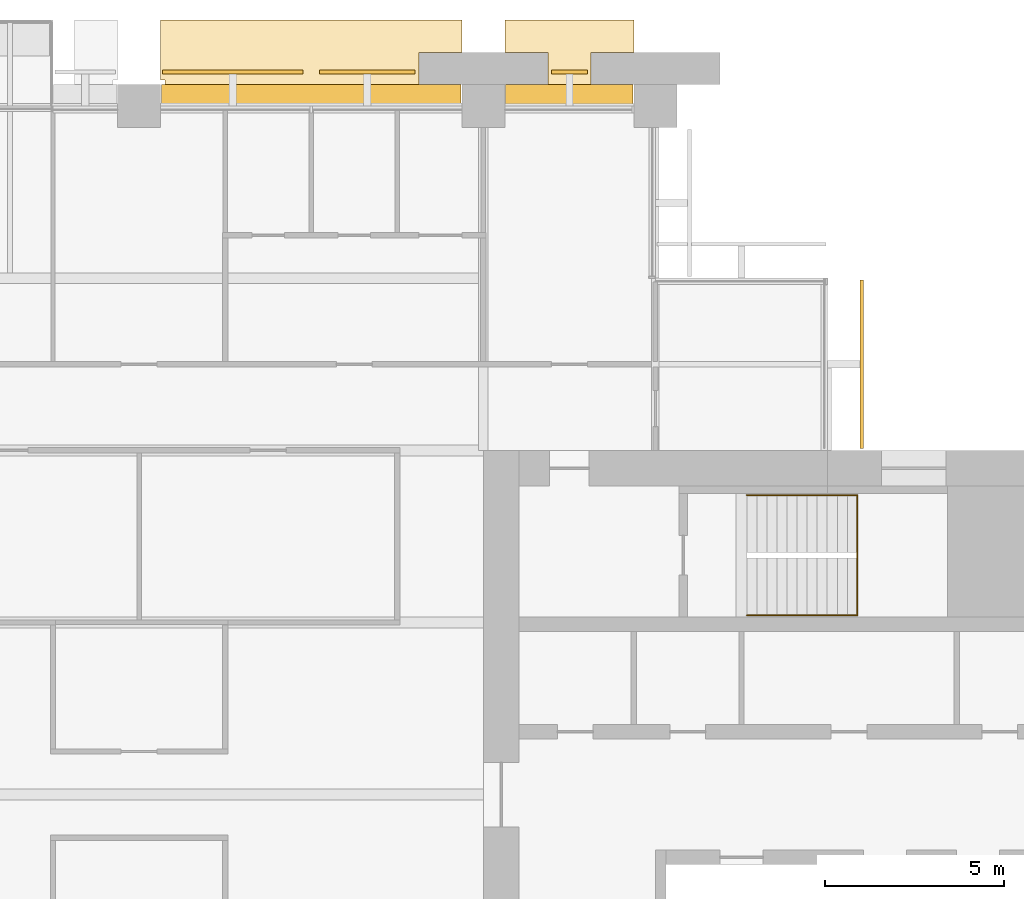
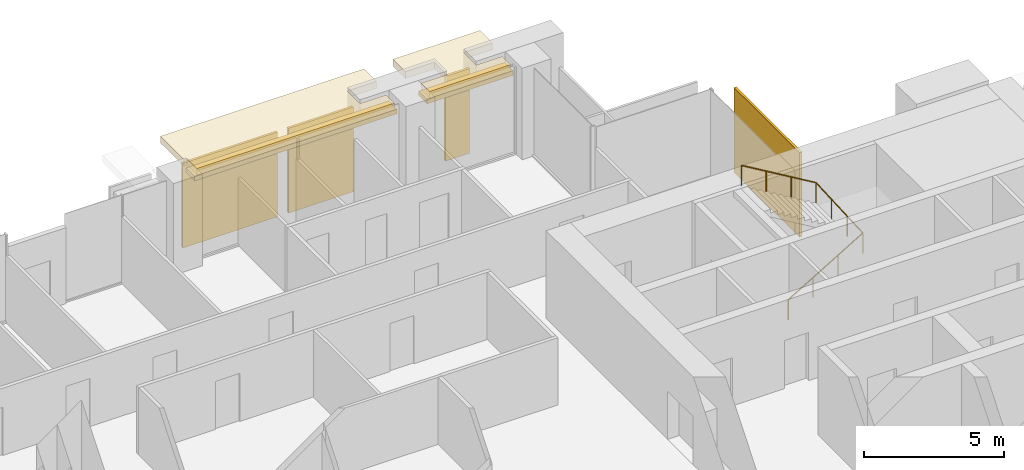
# One storey, part 15 of 15: 6 coverings, 2 shading devices, 1 railing.
"""IFC4 building model written with IfcOpenShell, lengths in metres."""

from ifc_helpers import new_model, si_unit, direction, frame, origin, origin_2d, place, context, subcontext, project, spatial, polyline, rectangle, circle, outline, extrude, material, layer, layer_set, type_object, element, save


model = new_model("IFC4")

# Units and contexts
model_context = context("Model", 3, precision=1e-05, world=origin(), true_north=direction((0.0, 1.0)))
body_context = subcontext(model_context, "Body", "Model", "MODEL_VIEW")
ifc_project = project(units=[si_unit("LENGTHUNIT", "METRE"), si_unit("AREAUNIT", "SQUARE_METRE"), si_unit("VOLUMEUNIT", "CUBIC_METRE"), si_unit("PLANEANGLEUNIT", "RADIAN"), si_unit("MASSUNIT", "GRAM", prefix="KILO")], contexts=[model_context])

# Site, building, storey
site_placement = place(None, origin())
site = spatial("IfcSite", under=ifc_project, at=site_placement, CompositionType="ELEMENT")
building_placement = place(site_placement, origin())
building = spatial("IfcBuilding", under=site, at=building_placement, Name="Baori Bourse Tower", CompositionType="ELEMENT")
storey_placement = place(building_placement, frame((0.0, 0.0, 152.10009765625)))
storey = spatial("IfcBuildingStorey", under=building, at=storey_placement, Name="L33", CompositionType="ELEMENT", Elevation=152.10009765625)

# Coverings
ifc_material_1 = material(Name="Pale anodised aluminium", Category="aluminium")
covering_type_1 = type_object("IfcCoveringType", Name="BD1 Pale metal band", PredefinedType="CLADDING", material=ifc_material_1)
covering_1_placement = place(storey_placement, frame((0.0, 0.0, 3.539794921875)))
element("IfcCovering", 1, at=covering_1_placement, inside=storey, type_object=covering_type_1, Name="Pale projecting band L33 2", PredefinedType="CLADDING", context=body_context, shape_type="SweptSolid", body=[
    extrude(outline(polyline([(39.1201171875, 48.0), (42.47998046875, 48.0), (42.47998046875, 48.60009765625), (41.39990234375, 48.60009765625), (41.39990234375, 49.5), (42.60009765625, 49.5), (42.60009765625, 50.39990234375), (39.0, 50.39990234375), (39.0, 49.5), (40.199951171875, 49.5), (40.199951171875, 48.60009765625), (39.1201171875, 48.60009765625), (39.1201171875, 48.0)])), origin(), (0.0, 0.0, 1.0), 0.300048828125),
])
covering_2_placement = place(storey_placement, frame((0.0, 0.0, 3.539794921875)))
element("IfcCovering", 2, at=covering_2_placement, inside=storey, type_object=covering_type_1, Name="Pale projecting band L33 3", PredefinedType="CLADDING", context=body_context, shape_type="SweptSolid", body=[
    extrude(outline(polyline([(29.52001953125, 48.0), (37.679931640625, 48.0), (37.679931640625, 48.60009765625), (36.60009765625, 48.60009765625), (36.60009765625, 49.5), (37.800048828125, 49.5), (37.800048828125, 50.39990234375), (29.39990234375, 50.39990234375), (29.39990234375, 48.719970703125), (29.52001953125, 48.719970703125), (29.52001953125, 48.0)])), origin(), (0.0, 0.0, 1.0), 0.300048828125),
])

# Shading devices
ifc_material_2 = material(Name="Concrete f'c 40 MPa", Category="concrete")
ifc_layer_1 = layer(ifc_material_2, 0.199951171875)
ifc_layer_set_1 = layer_set([ifc_layer_1], Name="BS1 Brise-soleil ledge")
shading_device_type = type_object("IfcShadingDeviceType", Name="BS1 Brise-soleil ledge", PredefinedType="USERDEFINED", material=ifc_layer_set_1)
shading_device_1_placement = place(storey_placement, frame((40.800048828125, 48.300048828125, 3.33984375), z_axis=(0.0, 0.0, 1.0), x_axis=(-1.0, 0.0, 0.0)))
element("IfcShadingDevice", 3, at=shading_device_1_placement, inside=storey, type_object=shading_device_type, Name="Brise-soleil ledge L33 1", ObjectType="BRISE SOLEIL", PredefinedType="USERDEFINED", context=body_context, shape_type="SweptSolid", body=[
    extrude(rectangle(XDim=3.56005859375, YDim=0.60009765625, at=origin_2d()), origin(), (0.0, 0.0, 1.0), 0.199951171875),
])
shading_device_2_placement = place(storey_placement, frame((33.60009765625, 48.300048828125, 3.33984375), z_axis=(0.0, 0.0, 1.0), x_axis=(-1.0, 0.0, 0.0)))
element("IfcShadingDevice", 4, at=shading_device_2_placement, inside=storey, type_object=shading_device_type, Name="Brise-soleil ledge L33 2", ObjectType="BRISE SOLEIL", PredefinedType="USERDEFINED", context=body_context, shape_type="SweptSolid", body=[
    extrude(rectangle(XDim=8.360107421875, YDim=0.60009765625, at=origin_2d()), origin(), (0.0, 0.0, 1.0), 0.199951171875),
])

# Railing
ifc_material_3 = material(Name="Powder-coated steel balustrade", Category="steel")
railing_type = type_object("IfcRailingType", Name="Core stair handrail", PredefinedType="HANDRAIL", material=ifc_material_3)
railing_placement = place(storey_placement, frame((45.75, 33.800048828125, 0.16650390625)))
element("IfcRailing", 5, at=railing_placement, inside=storey, type_object=railing_type, Name="L33 ST4 stair handrail 1", PredefinedType="HANDRAIL", context=body_context, shape_type="SweptSolid", body=[
    extrude(circle(Radius=0.02392578125, at=origin_2d()), frame((0.0, 0.0, 0.8759765625), z_axis=(0.85927862911, 0.0, 0.511507807912), x_axis=(0.0, 1.0, 0.0)), (0.0, 0.0, 1.0), 3.58447265625),
    extrude(circle(Radius=0.02392578125, at=origin_2d()), frame((3.080078125, 0.0, 2.70947265625), z_axis=(0.0, 0.998766999029, 0.049643545903), x_axis=(-1.0, 0.0, 0.0)), (0.0, 0.0, 1.0), 3.35400390625),
    extrude(circle(Radius=0.02392578125, at=origin_2d()), frame((3.080078125, 3.349853515625, 2.8759765625), z_axis=(-0.85927862911, 0.0, 0.511507807912), x_axis=(0.0, -1.0, 0.0)), (0.0, 0.0, 1.0), 3.58447265625),
    extrude(circle(Radius=0.02099609375, at=origin_2d()), origin(), (0.0, 0.0, 1.0), 0.851806640625),
    extrude(circle(Radius=0.02099609375, at=origin_2d()), frame((1.026611328125, 0.0, 0.611083984375)), (0.0, 0.0, 1.0), 0.851806640625),
    extrude(circle(Radius=0.02099609375, at=origin_2d()), frame((2.053466796875, 0.0, 1.222412109375)), (0.0, 0.0, 1.0), 0.851806640625),
    extrude(circle(Radius=0.02099609375, at=origin_2d()), frame((3.080078125, 0.0, 1.83349609375)), (0.0, 0.0, 1.0), 0.851806640625),
    extrude(circle(Radius=0.02099609375, at=origin_2d()), frame((3.080078125, 1.11669921875, 1.888916015625)), (0.0, 0.0, 1.0), 0.851806640625),
    extrude(circle(Radius=0.02099609375, at=origin_2d()), frame((3.080078125, 2.233154296875, 1.944580078125)), (0.0, 0.0, 1.0), 0.851806640625),
    extrude(circle(Radius=0.02099609375, at=origin_2d()), frame((3.080078125, 3.349853515625, 2.0)), (0.0, 0.0, 1.0), 0.851806640625),
    extrude(circle(Radius=0.02099609375, at=origin_2d()), frame((2.053466796875, 3.349853515625, 2.611083984375)), (0.0, 0.0, 1.0), 0.851806640625),
    extrude(circle(Radius=0.02099609375, at=origin_2d()), frame((1.026611328125, 3.349853515625, 3.222412109375)), (0.0, 0.0, 1.0), 0.851806640625),
    extrude(circle(Radius=0.02099609375, at=origin_2d()), frame((0.0, 3.349853515625, 3.83349609375)), (0.0, 0.0, 1.0), 0.851806640625),
])

# Coverings
ifc_material_4 = material(Name="Pale anodised aluminium", Category="aluminium")
ifc_layer_2 = layer(ifc_material_4, 0.10009765625)
ifc_layer_set_2 = layer_set([ifc_layer_2], Name="OS3 Outer skin screen panel")
covering_type_2 = type_object("IfcCoveringType", Name="OS3 Outer skin screen panel", PredefinedType="CLADDING", material=ifc_layer_set_2)
covering_3_placement = place(storey_placement, frame((0.0, 0.0, -0.16015625)))
element("IfcCovering", 6, at=covering_3_placement, inside=storey, type_object=covering_type_2, Name="Outer skin screen L33 1", PredefinedType="CLADDING", context=body_context, shape_type="SweptSolid", body=[
    extrude(outline(polyline([(48.89990234375, 43.14990234375), (48.89990234375, 38.449951171875), (49.0, 38.449951171875), (49.0, 43.14990234375), (48.89990234375, 43.14990234375)])), origin(), (0.0, 0.0, 1.0), 3.699951171875),
])
covering_4_placement = place(storey_placement, frame((0.0, 0.0, -0.16015625)))
element("IfcCovering", 7, at=covering_4_placement, inside=storey, type_object=covering_type_2, Name="Outer skin screen L33 4", PredefinedType="CLADDING", context=body_context, shape_type="SweptSolid", body=[
    extrude(outline(polyline([(40.300048828125, 48.89990234375), (41.300048828125, 48.89990234375), (41.300048828125, 49.0), (40.300048828125, 49.0), (40.300048828125, 48.89990234375)])), origin(), (0.0, 0.0, 1.0), 3.699951171875),
])
covering_5_placement = place(storey_placement, frame((0.0, 0.0, -0.16015625)))
element("IfcCovering", 8, at=covering_5_placement, inside=storey, type_object=covering_type_2, Name="Outer skin screen L33 5", PredefinedType="CLADDING", context=body_context, shape_type="SweptSolid", body=[
    extrude(outline(polyline([(33.824951171875, 48.89990234375), (36.5, 48.89990234375), (36.5, 49.0), (33.824951171875, 49.0), (33.824951171875, 48.89990234375)])), origin(), (0.0, 0.0, 1.0), 3.699951171875),
])
covering_6_placement = place(storey_placement, frame((0.0, 0.0, -0.16015625)))
element("IfcCovering", 9, at=covering_6_placement, inside=storey, type_object=covering_type_2, Name="Outer skin screen L33 6", PredefinedType="CLADDING", context=body_context, shape_type="SweptSolid", body=[
    extrude(outline(polyline([(29.449951171875, 48.89990234375), (33.375, 48.89990234375), (33.375, 49.0), (29.449951171875, 49.0), (29.449951171875, 48.89990234375)])), origin(), (0.0, 0.0, 1.0), 3.699951171875),
])

save(model, "model.ifc")
